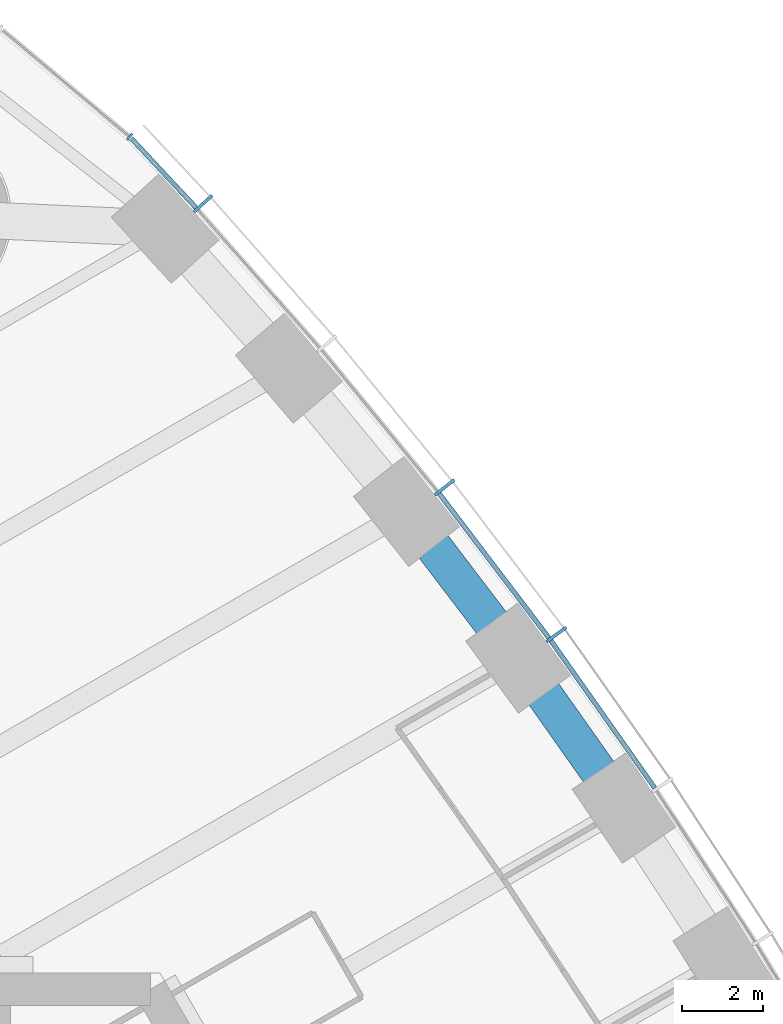
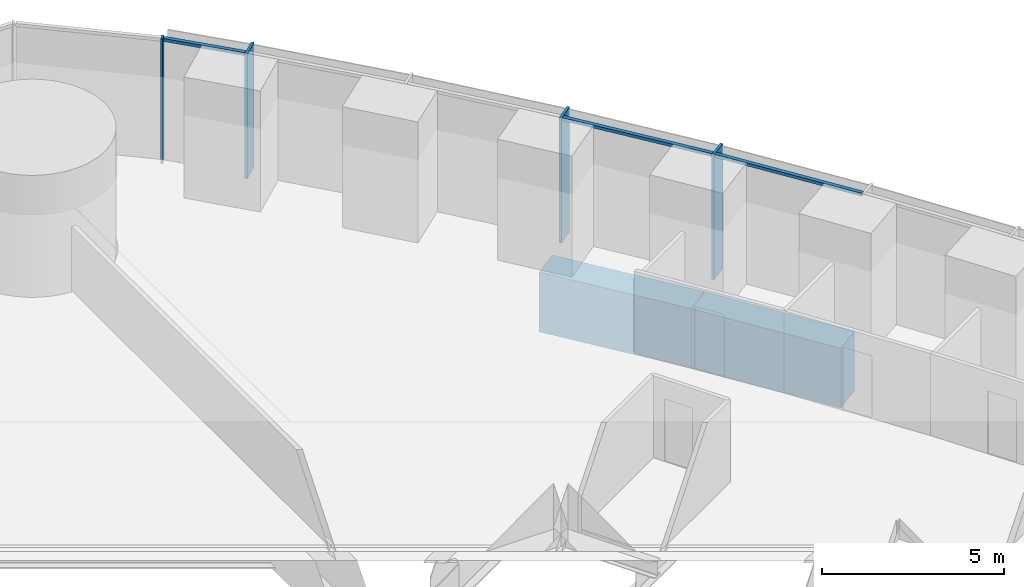
# One storey, part 6 of 19: 7 members, 2 beams, 2 elements without a shape of their own.
"""IFC4 building model written with IfcOpenShell, lengths in metres."""

from ifc_helpers import new_model, si_unit, direction, frame, origin, origin_2d, place, context, subcontext, project, spatial, rectangle, extrude, material, material_profile, profile_set, type_object, element, aggregate, save


model = new_model("IFC4")

# Units and contexts
model_context = context("Model", 3, precision=1e-05, world=origin(), true_north=direction((0.0, 1.0)))
body_context = subcontext(model_context, "Body", "Model", "MODEL_VIEW")
ifc_project = project(units=[si_unit("LENGTHUNIT", "METRE"), si_unit("AREAUNIT", "SQUARE_METRE"), si_unit("VOLUMEUNIT", "CUBIC_METRE"), si_unit("PLANEANGLEUNIT", "RADIAN"), si_unit("MASSUNIT", "GRAM", prefix="KILO")], contexts=[model_context])

# Site, building, storey
site_placement = place(None, origin())
site = spatial("IfcSite", under=ifc_project, at=site_placement, CompositionType="ELEMENT")
building_placement = place(site_placement, origin())
building = spatial("IfcBuilding", under=site, at=building_placement, Name="Trefoil Bronze Tower", CompositionType="ELEMENT")
storey_placement = place(building_placement, frame((0.0, 0.0, 107.300048828125)))
storey = spatial("IfcBuildingStorey", under=building, at=storey_placement, Name="L24", CompositionType="ELEMENT", Elevation=107.300048828125)

# Curtain wall, members
ifc_material_1 = material(Name="Tinted solar-control glass", Category="glass")
curtain_wall_type_1 = type_object("IfcCurtainWallType", Name="Bronze office curtain wall", PredefinedType="USERDEFINED", material=ifc_material_1)
curtain_wall_1_placement = place(storey_placement, origin())
curtain_wall_1 = element("IfcCurtainWall", 1, at=curtain_wall_1_placement, inside=storey, type_object=curtain_wall_type_1, Name="CW-A L24 F2", ObjectType="CURTAIN WALL", PredefinedType="USERDEFINED")
ifc_material_2 = material(Name="Bronze-finish aluminium", Category="aluminium")
ifc_material_profile_1 = material_profile(ifc_material_2, rectangle(XDim=0.60009765625, YDim=0.080078125, at=origin_2d()), Name="CW-A mullion")
ifc_profile_set_1 = profile_set([ifc_material_profile_1], Name="Bronze-finish aluminium")
member_type_1 = type_object("IfcMemberType", Name="Bronze office curtain wall mullion", PredefinedType="MULLION", material=ifc_profile_set_1)
member_1_placement = place(storey_placement, frame((15.764404296875, 24.7275390625, 0.0), z_axis=(0.0, 0.0, 1.0), x_axis=(-0.806874522901, -0.590722865897, 0.0)))
member_1 = element("IfcMember", 2, at=member_1_placement, type_object=member_type_1, Name="CW-A L24 F2 mullion 11", PredefinedType="MULLION", context=body_context, shape_type="SweptSolid", body=[
    extrude(rectangle(XDim=0.60009765625, YDim=0.080078125, at=origin_2d()), origin(), (0.0, 0.0, 1.0), 4.179931640625),
])
member_2_placement = place(storey_placement, frame((13.01220703125, 28.34716796875, 0.0), z_axis=(0.0, 0.0, 1.0), x_axis=(-0.78487913905, -0.619648882098, 0.0)))
member_2 = element("IfcMember", 3, at=member_2_placement, type_object=member_type_1, Name="CW-A L24 F2 mullion 12", PredefinedType="MULLION", context=body_context, shape_type="SweptSolid", body=[
    extrude(rectangle(XDim=0.60009765625, YDim=0.080078125, at=origin_2d()), origin(), (0.0, 0.0, 1.0), 4.179931640625),
])
member_3_placement = place(storey_placement, frame((7.070068359375, 35.332275390625, 0.0), z_axis=(0.0, 0.0, 1.0), x_axis=(-0.740360700327, -0.672209813534, 0.0)))
member_3 = element("IfcMember", 4, at=member_3_placement, type_object=member_type_1, Name="CW-A L24 F2 mullion 14", PredefinedType="MULLION", context=body_context, shape_type="SweptSolid", body=[
    extrude(rectangle(XDim=0.60009765625, YDim=0.080078125, at=origin_2d()), origin(), (0.0, 0.0, 1.0), 4.179931640625),
])
ifc_material_3 = material(Name="Bronze-finish aluminium", Category="aluminium")
ifc_material_profile_2 = material_profile(ifc_material_3, rectangle(XDim=0.1201171875, YDim=0.10009765625, at=origin_2d()), Name="CW-A transom")
ifc_profile_set_2 = profile_set([ifc_material_profile_2], Name="Bronze-finish aluminium")
member_type_2 = type_object("IfcMemberType", Name="Bronze office curtain wall transom", PredefinedType="USERDEFINED", material=ifc_profile_set_2)
member_4_placement = place(storey_placement, frame((18.18359375, 20.947021484375, 4.1298828125), z_axis=(-0.576017858824, 0.817437108478, 0.0), x_axis=(-0.817437108478, -0.576017858824, 0.0)))
member_4 = element("IfcMember", 5, at=member_4_placement, type_object=member_type_2, Name="CW-A L24 F2 transom 10", ObjectType="TRANSOM", PredefinedType="USERDEFINED", context=body_context, shape_type="SweptSolid", body=[
    extrude(rectangle(XDim=0.1201171875, YDim=0.10009765625, at=origin_2d()), origin(), (0.0, 0.0, 1.0), 4.4384765625),
])
member_5_placement = place(storey_placement, frame((15.57763671875, 24.642578125, 4.1298828125), z_axis=(-0.605229114572, 0.796051329296, 0.0), x_axis=(-0.796051329296, -0.605229114572, 0.0)))
member_5 = element("IfcMember", 6, at=member_5_placement, type_object=member_type_2, Name="CW-A L24 F2 transom 11", ObjectType="TRANSOM", PredefinedType="USERDEFINED", context=body_context, shape_type="SweptSolid", body=[
    extrude(rectangle(XDim=0.1201171875, YDim=0.10009765625, at=origin_2d()), origin(), (0.0, 0.0, 1.0), 4.456298828125),
])
member_6_placement = place(storey_placement, frame((6.893798828125, 35.22802734375, 4.1298828125), z_axis=(-0.682489214428, 0.730895664366, 0.0), x_axis=(-0.730895664366, -0.682489214428, 0.0)))
member_6 = element("IfcMember", 7, at=member_6_placement, type_object=member_type_2, Name="CW-A L24 F2 transom 14", ObjectType="TRANSOM", PredefinedType="USERDEFINED", context=body_context, shape_type="SweptSolid", body=[
    extrude(rectangle(XDim=0.1201171875, YDim=0.10009765625, at=origin_2d()), origin(), (0.0, 0.0, 1.0), 2.340087890625),
])
aggregate(curtain_wall_1, [member_1, member_2, member_3, member_4, member_5, member_6])

# Curtain wall, member
ifc_material_4 = material(Name="Tinted solar-control glass", Category="glass")
curtain_wall_type_2 = type_object("IfcCurtainWallType", Name="Bronze rounded corner curtain wall", PredefinedType="USERDEFINED", material=ifc_material_4)
curtain_wall_2_placement = place(storey_placement, origin())
curtain_wall_2 = element("IfcCurtainWall", 8, at=curtain_wall_2_placement, inside=storey, type_object=curtain_wall_type_2, Name="CW-B L24 K2", ObjectType="CURTAIN WALL", PredefinedType="USERDEFINED")
ifc_material_5 = material(Name="Bronze-finish aluminium", Category="aluminium")
ifc_material_profile_3 = material_profile(ifc_material_5, rectangle(XDim=0.199951171875, YDim=0.06005859375, at=origin_2d()), Name="CW-B mullion")
ifc_profile_set_3 = profile_set([ifc_material_profile_3], Name="Bronze-finish aluminium")
member_type_3 = type_object("IfcMemberType", Name="Bronze rounded corner curtain wall mullion", PredefinedType="MULLION", material=ifc_profile_set_3)
member_7_placement = place(storey_placement, frame((5.260498046875, 36.975830078125, 0.0), z_axis=(0.0, 0.0, 1.0), x_axis=(-0.642787609687, -0.766044443119, 0.0)))
member_7 = element("IfcMember", 9, at=member_7_placement, type_object=member_type_3, Name="CW-B L24 K2 mullion 1", PredefinedType="MULLION", context=body_context, shape_type="SweptSolid", body=[
    extrude(rectangle(XDim=0.199951171875, YDim=0.06005859375, at=origin_2d()), origin(), (0.0, 0.0, 1.0), 4.179931640625),
])
aggregate(curtain_wall_2, [member_7])

# Beams
ifc_material_6 = material(Name="Concrete B80", Category="concrete")
ifc_material_profile_4 = material_profile(ifc_material_6, rectangle(XDim=0.89990234375, YDim=2.0, at=origin_2d()), Name="RC 900x2000")
ifc_profile_set_4 = profile_set([ifc_material_profile_4], Name="Concrete B80")
beam_type = type_object("IfcBeamType", Name="Spandrel beam RC 900x2000", PredefinedType="SPANDREL", material=ifc_profile_set_4)
beam_1_placement = place(storey_placement, frame((17.43017578125, 20.45556640625, -1.199951171875), z_axis=(-0.576439228712, 0.81714002203, 0.0), x_axis=(-0.81714002203, -0.576439228712, 0.0)))
element("IfcBeam", 10, at=beam_1_placement, inside=storey, type_object=beam_type, Name="Spandrel F2.10 L24", PredefinedType="SPANDREL", context=body_context, shape_type="SweptSolid", body=[
    extrude(rectangle(XDim=0.89990234375, YDim=2.0, at=origin_2d()), origin(), (0.0, 0.0, 1.0), 4.5185546875),
])
beam_2_placement = place(storey_placement, frame((14.825439453125, 24.14794921875, -1.199951171875), z_axis=(-0.605898901788, 0.795541652468, 0.0), x_axis=(-0.795541652468, -0.605898901788, 0.0)))
element("IfcBeam", 11, at=beam_2_placement, inside=storey, type_object=beam_type, Name="Spandrel F2.11 L24", PredefinedType="SPANDREL", context=body_context, shape_type="SweptSolid", body=[
    extrude(rectangle(XDim=0.89990234375, YDim=2.0, at=origin_2d()), origin(), (0.0, 0.0, 1.0), 4.53662109375),
])

save(model, "model.ifc")
